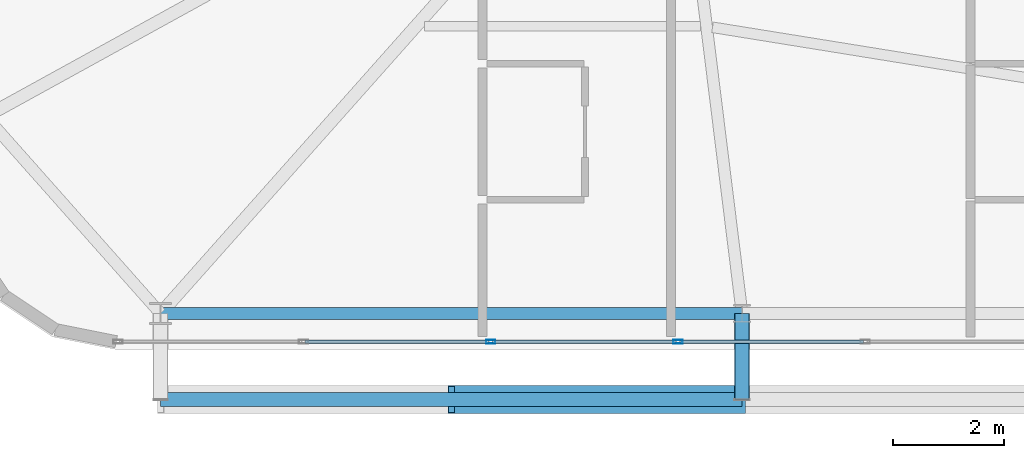
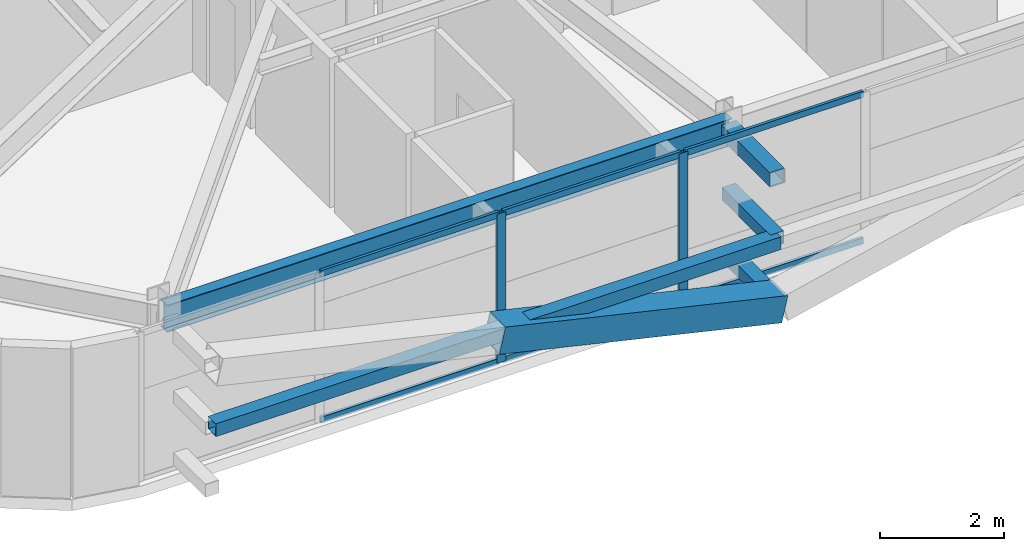
# One storey, part 6 of 58: 13 members, 1 beam, 1 element without a shape of its own.
"""IFC4 building model written with IfcOpenShell, lengths in metres."""

import ifcopenshell
import ifcopenshell.guid

model = None  # the IFC model being written
_history = None  # IfcOwnerHistory: only IFC2X3 demands one
_inside = {}  # id of a spatial element -> (the spatial element, [elements in it])
_under = {}  # id of a project, library or spatial element -> (it, [spatial elements below it])
_declared = {}  # id of a project -> (the project, [libraries it declares])
_typed = {}  # id of a type object -> (the type object, [elements of that type])
_made_of = {}  # id of a material, layer set ... -> (it, [elements and type objects made of it])


def new_model(schema):
    """Start an empty IFC model of exactly this schema.

    Asked for "IFC4X3", IfcOpenShell would pick the latest addendum, in which some entities
    have other attributes; the version numbers below select the first issue.
    IFC2X3 requires an IfcOwnerHistory on every rooted entity: one is made here for all.
    """
    global model, _history
    if schema == "IFC4X3":
        model = ifcopenshell.file(schema_version=(4, 3, 0, 0))
    else:
        model = ifcopenshell.file(schema=schema)
    _inside.clear()
    _under.clear()
    _declared.clear()
    _typed.clear()
    _made_of.clear()
    _history = None
    if model.schema == "IFC2X3":
        org = make("IfcOrganization", Name="unknown")
        user = make(
            "IfcPersonAndOrganization",
            ThePerson=make("IfcPerson", FamilyName="unknown"),
            TheOrganization=org,
        )
        app = make(
            "IfcApplication",
            ApplicationDeveloper=org,
            Version="unknown",
            ApplicationFullName="unknown",
            ApplicationIdentifier="unknown",
        )
        _history = make(
            "IfcOwnerHistory",
            OwningUser=user,
            OwningApplication=app,
            ChangeAction="ADDED",
            CreationDate=0,
        )
    return model


def make(cls, **values):
    """One entity of the class cls with the attributes given. An attribute that is None is left unset."""
    return model.create_entity(
        cls, **{name: value for name, value in values.items() if value is not None}
    )


def rooted(cls, **values):
    """An entity with a GlobalId (a new one), such as an element, a storey or a relation."""
    return make(cls, GlobalId=ifcopenshell.guid.new(), OwnerHistory=_history, **values)


def si_unit(unit_type, name, prefix=None):
    """IfcSIUnit, for example si_unit("LENGTHUNIT", "METRE", prefix="MILLI")."""
    return make("IfcSIUnit", UnitType=unit_type, Prefix=prefix, Name=name)


def assignment(units):
    """IfcUnitAssignment: the units of a project."""
    return None if units is None else make("IfcUnitAssignment", Units=units)


def point(xyz):
    """IfcCartesianPoint."""
    return None if xyz is None else make("IfcCartesianPoint", Coordinates=xyz)


def direction(xyz):
    """IfcDirection."""
    return None if xyz is None else make("IfcDirection", DirectionRatios=xyz)


def frame(location, z_axis=None, x_axis=None):
    """IfcAxis2Placement3D, a coordinate frame: its origin and axes. An axis left out is left unset."""
    return make(
        "IfcAxis2Placement3D",
        Location=point(location),
        Axis=direction(z_axis),
        RefDirection=direction(x_axis),
    )


def frame_2d(location, x_axis=None):
    """IfcAxis2Placement2D, a coordinate frame in the plane: its origin and x axis."""
    return make(
        "IfcAxis2Placement2D", Location=point(location), RefDirection=direction(x_axis)
    )


def origin():
    """The frame at (0, 0, 0) with its axes left unset."""
    return frame((0.0, 0.0, 0.0))


def origin_2d():
    """The frame at (0, 0) in the plane with its x axis left unset."""
    return frame_2d((0.0, 0.0))


def place(relative_to, where):
    """IfcLocalPlacement: puts the frame where relative to a parent placement (None: the world)."""
    return make(
        "IfcLocalPlacement", PlacementRelTo=relative_to, RelativePlacement=where
    )


def context(
    kind, dimensions, precision=None, world=None, true_north=None, identifier=None
):
    """IfcGeometricRepresentationContext, for example the 3D "Model" context."""
    return make(
        "IfcGeometricRepresentationContext",
        ContextIdentifier=identifier,
        ContextType=kind,
        CoordinateSpaceDimension=dimensions,
        Precision=precision,
        WorldCoordinateSystem=world,
        TrueNorth=true_north,
    )


def subcontext(parent, identifier, kind, view, scale=None):
    """IfcGeometricRepresentationSubContext, for example "Body" below "Model"."""
    return make(
        "IfcGeometricRepresentationSubContext",
        ContextIdentifier=identifier,
        ContextType=kind,
        ParentContext=parent,
        TargetScale=scale,
        TargetView=view,
    )


def project(units=None, contexts=None):
    """IfcProject with its units and contexts."""
    return rooted(
        "IfcProject",
        Name="project",
        RepresentationContexts=contexts,
        UnitsInContext=assignment(units),
    )


def spatial(cls, under=None, at=None, **own):
    """A site, building, storey or space (cls), placed at a placement, below another one or the project."""
    s = rooted(cls, ObjectPlacement=at, **own)
    if under is not None:
        _under.setdefault(under.id(), (under, []))[1].append(s)
    return s


def profile(cls, at=None, kind="AREA", **sizes):
    """A parametric profile (cls). Its sizes go by their IFC names, for example OverallWidth=200.0."""
    return make(cls, ProfileType=kind, Position=at, **sizes)


def hollow_rectangle(**sizes):
    """IfcRectangleHollowProfileDef."""
    return profile("IfcRectangleHollowProfileDef", **sizes)


def i_section(**sizes):
    """IfcIShapeProfileDef."""
    return profile("IfcIShapeProfileDef", **sizes)


def extrude(swept, where, along, depth):
    """IfcExtrudedAreaSolid: the profile swept, set in the frame where, extruded along a direction by depth."""
    return make(
        "IfcExtrudedAreaSolid",
        SweptArea=swept,
        Position=where,
        ExtrudedDirection=direction(along),
        Depth=depth,
    )


def shape(context_of_items, identifier, shape_type, items):
    """IfcShapeRepresentation: the items that make up one representation, for example the "Body"."""
    return make(
        "IfcShapeRepresentation",
        ContextOfItems=context_of_items,
        RepresentationIdentifier=identifier,
        RepresentationType=shape_type,
        Items=items,
    )


def source(mapping_origin, context_of_items, identifier, shape_type, items):
    """IfcRepresentationMap: a shape defined once, which mapped items show again and again."""
    return make(
        "IfcRepresentationMap",
        MappingOrigin=mapping_origin,
        MappedRepresentation=shape(context_of_items, identifier, shape_type, items),
    )


def transform(
    local_origin,
    x_axis=None,
    y_axis=None,
    z_axis=None,
    scale=None,
    scale2=None,
    scale3=None,
    uniform=True,
):
    """IfcCartesianTransformationOperator3D, or its non-uniform kind. x_axis, y_axis, z_axis: its Axis1, 2, 3."""
    if uniform:
        return make(
            "IfcCartesianTransformationOperator3D",
            Axis1=direction(x_axis),
            Axis2=direction(y_axis),
            LocalOrigin=point(local_origin),
            Scale=scale,
            Axis3=direction(z_axis),
        )
    return make(
        "IfcCartesianTransformationOperator3DnonUniform",
        Axis1=direction(x_axis),
        Axis2=direction(y_axis),
        LocalOrigin=point(local_origin),
        Scale=scale,
        Axis3=direction(z_axis),
        Scale2=scale2,
        Scale3=scale3,
    )


def mapped(mapping_source, mapping_target):
    """IfcMappedItem: shows the shape of a source again, moved by a transform."""
    return make(
        "IfcMappedItem", MappingSource=mapping_source, MappingTarget=mapping_target
    )


def material(Name=None, Category=None):
    """IfcMaterial."""
    return make("IfcMaterial", Name=Name, Category=Category)


def layer(
    of_material, thickness, ventilated=None, Name=None, Category=None, Priority=None
):
    """IfcMaterialLayer: one layer of a wall or slab, of a material (None: an air gap)."""
    return make(
        "IfcMaterialLayer",
        Material=of_material,
        LayerThickness=thickness,
        IsVentilated=ventilated,
        Name=Name,
        Category=Category,
        Priority=Priority,
    )


def layer_set(layers, Name=None):
    """IfcMaterialLayerSet."""
    return make("IfcMaterialLayerSet", MaterialLayers=layers, LayerSetName=Name)


def material_profile(
    of_material, cross_section, Name=None, Category=None, Priority=None
):
    """IfcMaterialProfile: a cross section and its material."""
    return make(
        "IfcMaterialProfile",
        Name=Name,
        Material=of_material,
        Profile=cross_section,
        Priority=Priority,
        Category=Category,
    )


def profile_set(profiles, Name=None, composite=None):
    """IfcMaterialProfileSet."""
    return make(
        "IfcMaterialProfileSet",
        Name=Name,
        MaterialProfiles=profiles,
        CompositeProfile=composite,
    )


def made_of(thing, what):
    """Note that an element or type object is made of a material, layer set ...; save() writes the relation."""
    if what is not None:
        _made_of.setdefault(what.id(), (what, []))[1].append(thing)
    return thing


def type_object(cls, material=None, **own):
    """A type object (cls), such as IfcWallType, which elements share."""
    return made_of(rooted(cls, **own), material)


def element(
    cls,
    number,
    at=None,
    inside=None,
    cuts=None,
    type_object=None,
    material=None,
    context=None,
    identifier="Body",
    shape_type=None,
    held_by="IfcProductDefinitionShape",
    body=None,
    shapes=None,
    **own,
):
    """One element of the class cls, such as IfcWall. Its Tag is "e" and its number.

    at: its placement. inside: the storey or other place that contains it. cuts: it is an
    opening in that element (IfcRelVoidsElement). A single representation is given by context,
    identifier, shape_type and body (its items); several are given by shapes. held_by: the class
    of the entity that holds the representations. save() writes the other relations.
    """
    e = rooted(cls, Tag="e%d" % number, ObjectPlacement=at, **own)
    if body is not None:
        shapes = [shape(context, identifier, shape_type, body)]
    if shapes is not None:
        e.Representation = make(held_by, Representations=shapes)
    if inside is not None:
        _inside.setdefault(inside.id(), (inside, []))[1].append(e)
    if cuts is not None:
        rooted(
            "IfcRelVoidsElement", RelatingBuildingElement=cuts, RelatedOpeningElement=e
        )
    if type_object is not None:
        _typed.setdefault(type_object.id(), (type_object, []))[1].append(e)
    return made_of(e, material)


def aggregate(whole, parts):
    """IfcRelAggregates: a whole, such as a stair, and the parts it consists of."""
    return rooted("IfcRelAggregates", RelatingObject=whole, RelatedObjects=parts)


def save(model, path):
    """Write the relations noted so far, then the file.

    IfcRelAggregates (storeys below a building ...), IfcRelContainedInSpatialStructure (elements
    in a storey), IfcRelDefinesByType, IfcRelAssociatesMaterial and IfcRelDeclares: one each for
    every whole, place, type object, material and project.
    """
    for whole, parts in _under.values():
        aggregate(whole, parts)
    for where, things in _inside.values():
        rooted(
            "IfcRelContainedInSpatialStructure",
            RelatedElements=things,
            RelatingStructure=where,
        )
    for kind, things in _typed.values():
        rooted("IfcRelDefinesByType", RelatedObjects=things, RelatingType=kind)
    for what, things in _made_of.values():
        rooted("IfcRelAssociatesMaterial", RelatedObjects=things, RelatingMaterial=what)
    for by, libraries in _declared.values():
        rooted("IfcRelDeclares", RelatingContext=by, RelatedDefinitions=libraries)
    model.write(path)


model = new_model("IFC4")

# Units and contexts
model_context = context("Model", 3, precision=1e-05, world=origin(), true_north=direction((0.0, 1.0)))
body_context = subcontext(model_context, "Body", "Model", "MODEL_VIEW")
ifc_project = project(units=[si_unit("LENGTHUNIT", "METRE"), si_unit("AREAUNIT", "SQUARE_METRE"), si_unit("VOLUMEUNIT", "CUBIC_METRE"), si_unit("PLANEANGLEUNIT", "RADIAN"), si_unit("MASSUNIT", "GRAM", prefix="KILO")], contexts=[model_context])

# Site, building, storey
site_placement = place(None, origin())
site = spatial("IfcSite", under=ifc_project, at=site_placement, CompositionType="ELEMENT")
building_placement = place(site_placement, origin())
building = spatial("IfcBuilding", under=site, at=building_placement, Name="Taldren Reach Tower", CompositionType="ELEMENT")
storey_placement = place(building_placement, frame((0.0, 0.0, 32.550048828125)))
storey = spatial("IfcBuildingStorey", under=building, at=storey_placement, Name="L09", CompositionType="ELEMENT", Elevation=32.550048828125)

# Beam
ifc_material_1 = material(Name="Steel Gr 350 (350PLUS)", Category="steel")
ifc_material_profile_1 = material_profile(ifc_material_1, i_section(OverallWidth=0.208984375, OverallDepth=0.528076171875, WebThickness=0.009521484375, FlangeThickness=0.01318359375, at=origin_2d()), Name="530UB82.0")
ifc_profile_set_1 = profile_set([ifc_material_profile_1], Name="Steel Gr 350 (350PLUS)")
beam_type = type_object("IfcBeamType", Name="SP-UB530B", PredefinedType="SPANDREL", material=ifc_profile_set_1)
shared_shape_1 = source(origin(), body_context, "Body", "SweptSolid", [
    extrude(i_section(OverallWidth=0.208984375, OverallDepth=0.528076171875, WebThickness=0.009521484375, FlangeThickness=0.01318359375, at=origin_2d()), origin(), (0.0, 0.0, 1.0), 10.47998046875),
])
beam_placement = place(storey_placement, frame((8.800048828125, 2.14990234375, 2.666015625), z_axis=(1.0, 0.0, 0.0), x_axis=(0.0, 1.0, 0.0)))
element("IfcBeam", 1, at=beam_placement, inside=storey, type_object=beam_type, Name="Perimeter spandrel B1 S1-S2 L09", PredefinedType="SPANDREL", context=body_context, shape_type="MappedRepresentation", body=[
    mapped(shared_shape_1, transform((0.0, 0.0, 0.0), scale=1.0)),
])

# Members
ifc_material_2 = material(Name="Steel Gr 450 (C450L0)", Category="steel")
ifc_material_profile_2 = material_profile(ifc_material_2, hollow_rectangle(XDim=0.27490234375, YDim=0.27490234375, WallThickness=0.00927734375, at=origin_2d()), Name="275x275x9.3SHS")
ifc_profile_set_2 = profile_set([ifc_material_profile_2], Name="Steel Gr 450 (C450L0)")
member_type_1 = type_object("IfcMemberType", Name="MB-TIE273", PredefinedType="STRUT", material=ifc_profile_set_2)
shared_shape_2 = source(origin(), body_context, "Body", "SweptSolid", [
    extrude(hollow_rectangle(XDim=0.27490234375, YDim=0.27490234375, WallThickness=0.00927734375, at=origin_2d()), origin(), (0.0, 0.0, 1.0), 1.5498046875),
])
member_1_placement = place(storey_placement, frame((19.280029296875, 2.14990234375, 2.64990234375), z_axis=(0.0, -1.0, 0.0), x_axis=(1.0, 0.0, 0.0)))
element("IfcMember", 2, at=member_1_placement, inside=storey, type_object=member_type_1, Name="Exoskeleton diaphragm tie strut B1-S2 L09", PredefinedType="STRUT", context=body_context, shape_type="MappedRepresentation", body=[
    mapped(shared_shape_2, transform((0.0, 0.0, 0.0), scale=1.0)),
])
ifc_material_profile_3 = material_profile(ifc_material_2, hollow_rectangle(XDim=0.510009765625, YDim=0.510009765625, WallThickness=0.02001953125, at=origin_2d()), Name="510x510x20.0SHS")
ifc_profile_set_3 = profile_set([ifc_material_profile_3], Name="Steel Gr 450 (C450L0)")
member_type_2 = type_object("IfcMemberType", Name="MB-EXO508", PredefinedType="BRACE", material=ifc_profile_set_3)
shared_shape_3 = source(origin(), body_context, "Body", "SweptSolid", [
    extrude(hollow_rectangle(XDim=0.510009765625, YDim=0.510009765625, WallThickness=0.02001953125, at=origin_2d()), origin(), (0.0, 0.0, 1.0), 5.37890625),
])
member_2_placement = place(storey_placement, frame((19.280029296875, 0.60009765625, 0.219970703125), z_axis=(-0.97415197996, 0.0, 0.225893603143), x_axis=(0.0, -1.0, 0.0)))
element("IfcMember", 3, at=member_2_placement, inside=storey, type_object=member_type_2, Name="Exoskeleton Diagrid Brace B1-S1 L09", PredefinedType="BRACE", context=body_context, shape_type="MappedRepresentation", body=[
    mapped(shared_shape_3, transform((0.0, 0.0, 0.0), scale=1.0)),
])
ifc_material_3 = material(Name="Steel Gr 350 (C350L0)", Category="steel")
ifc_material_profile_4 = material_profile(ifc_material_3, hollow_rectangle(XDim=0.25, YDim=0.25, WallThickness=0.010009765625, at=origin_2d()), Name="250x250x10.0SHS")
ifc_profile_set_4 = profile_set([ifc_material_profile_4], Name="Steel Gr 350 (C350L0)")
member_type_3 = type_object("IfcMemberType", Name="MB-POST250", PredefinedType="POST", material=ifc_profile_set_4)
shared_shape_4 = source(origin(), body_context, "Body", "SweptSolid", [
    extrude(hollow_rectangle(XDim=0.25, YDim=0.25, WallThickness=0.010009765625, at=origin_2d()), origin(), (0.0, 0.0, 1.0), 10.47998046875),
])
member_3_placement = place(storey_placement, frame((8.800048828125, 0.60009765625, 1.43505859375), z_axis=(1.0, 0.0, 0.0), x_axis=(0.0, 1.0, 0.0)))
element("IfcMember", 4, at=member_3_placement, inside=storey, type_object=member_type_3, Name="Exoskeleton mid-height ring chord B1-S1 L09", PredefinedType="POST", context=body_context, shape_type="MappedRepresentation", body=[
    mapped(shared_shape_4, transform((0.0, 0.0, 0.0), scale=1.0)),
])
shared_shape_5 = source(origin(), body_context, "Body", "SweptSolid", [
    extrude(hollow_rectangle(XDim=0.25, YDim=0.25, WallThickness=0.010009765625, at=origin_2d()), origin(), (0.0, 0.0, 1.0), 1.5498046875),
])
for number, where, z_axis, x_axis, name in (
    (5, (19.280029296875, 2.14990234375, 0.219970703125), (0.0, -1.0, 0.0), (1.0, 0.0, 0.0), "Exoskeleton base diaphragm tie strut B1-S2 L09"),
    (6, (19.280029296875, 2.14990234375, 1.43505859375), (0.0, -1.0, 0.0), (1.0, 0.0, 0.0), "Exoskeleton mid-tier diaphragm tie B1-S2 L09"),
):
    element("IfcMember", number, at=place(storey_placement, frame(where, z_axis=z_axis, x_axis=x_axis)), inside=storey, type_object=member_type_3, Name=name, PredefinedType="POST", context=body_context, shape_type="MappedRepresentation", body=[
        mapped(shared_shape_5, transform((0.0, 0.0, 0.0), scale=1.0)),
    ])

# Curtain wall, members
ifc_material_4 = material(Name="Aluminium and Low-E Glass Unitised System", Category="aluminium")
ifc_layer = layer(ifc_material_4, 0.159912109375)
ifc_layer_set = layer_set([ifc_layer], Name="Aluminium and Low-E Glass Unitised System")
curtain_wall_type = type_object("IfcCurtainWallType", Name="CW-SYS-2", PredefinedType="NOTDEFINED", material=ifc_layer_set)
curtain_wall_placement = place(storey_placement, origin())
curtain_wall = element("IfcCurtainWall", 7, at=curtain_wall_placement, inside=storey, type_object=curtain_wall_type, Name="Unitised curtain wall CW-L09-S", PredefinedType="NOTDEFINED")
ifc_material_5 = material(Name="Anodised Aluminium 6063-T6", Category="aluminium")
ifc_material_profile_5 = material_profile(ifc_material_5, hollow_rectangle(XDim=0.06494140625, YDim=0.1650390625, WallThickness=0.00390625, at=origin_2d()), Name="ALU-165x65x4RHS")
ifc_profile_set_5 = profile_set([ifc_material_profile_5], Name="Anodised Aluminium 6063-T6")
member_type_4 = type_object("IfcMemberType", Name="CW-MUL-165", PredefinedType="MULLION", material=ifc_profile_set_5)
shared_shape_6 = source(origin(), body_context, "Body", "SweptSolid", [
    extrude(hollow_rectangle(XDim=0.06494140625, YDim=0.1650390625, WallThickness=0.00390625, at=origin_2d()), origin(), (0.0, 0.0, 1.0), 2.929931640625),
])
member_4_placement = place(storey_placement, frame((14.75, 1.639892578125, 0.0), z_axis=(0.0, 0.0, 1.0), x_axis=(0.0, 1.0, 0.0)))
member_4 = element("IfcMember", 8, at=member_4_placement, type_object=member_type_4, Name="CW-2 mullion 3", PredefinedType="MULLION", context=body_context, shape_type="MappedRepresentation", body=[
    mapped(shared_shape_6, transform((0.0, 0.0, 0.0), scale=1.0)),
])
member_5_placement = place(storey_placement, frame((18.125, 1.639892578125, 0.0), z_axis=(0.0, 0.0, 1.0), x_axis=(0.0, 1.0, 0.0)))
member_5 = element("IfcMember", 9, at=member_5_placement, type_object=member_type_4, Name="CW-2 mullion 4", PredefinedType="MULLION", context=body_context, shape_type="MappedRepresentation", body=[
    mapped(shared_shape_6, transform((0.0, 0.0, 0.0), scale=1.0)),
])
ifc_material_profile_6 = material_profile(ifc_material_5, hollow_rectangle(XDim=0.054931640625, YDim=0.1201171875, WallThickness=0.0029296875, at=origin_2d()), Name="ALU-120x55x3RHS")
ifc_profile_set_6 = profile_set([ifc_material_profile_6], Name="Anodised Aluminium 6063-T6")
member_type_5 = type_object("IfcMemberType", Name="CW-TRN-135", PredefinedType="USERDEFINED", material=ifc_profile_set_6)
shared_shape_7 = source(origin(), body_context, "Body", "SweptSolid", [
    extrude(hollow_rectangle(XDim=0.054931640625, YDim=0.1201171875, WallThickness=0.0029296875, at=origin_2d()), origin(), (0.0, 0.0, 1.0), 3.31005859375),
])
member_6_placement = place(storey_placement, frame((11.407470703125, 1.639892578125, 0.02734375), z_axis=(1.0, 0.0, 0.0), x_axis=(0.0, 1.0, 0.0)))
member_6 = element("IfcMember", 10, at=member_6_placement, type_object=member_type_5, Name="CW-2 transom 2.1", ObjectType="TRANSOM", PredefinedType="USERDEFINED", context=body_context, shape_type="MappedRepresentation", body=[
    mapped(shared_shape_7, transform((0.0, 0.0, 0.0), scale=1.0)),
])
member_7_placement = place(storey_placement, frame((11.407470703125, 1.639892578125, 2.90234375), z_axis=(1.0, 0.0, 0.0), x_axis=(0.0, 1.0, 0.0)))
member_7 = element("IfcMember", 11, at=member_7_placement, type_object=member_type_5, Name="CW-2 transom 2.2", ObjectType="TRANSOM", PredefinedType="USERDEFINED", context=body_context, shape_type="MappedRepresentation", body=[
    mapped(shared_shape_7, transform((0.0, 0.0, 0.0), scale=1.0)),
])
member_8_placement = place(storey_placement, frame((14.782470703125, 1.639892578125, 0.02734375), z_axis=(1.0, 0.0, 0.0), x_axis=(0.0, 1.0, 0.0)))
member_8 = element("IfcMember", 12, at=member_8_placement, type_object=member_type_5, Name="CW-2 transom 3.1", ObjectType="TRANSOM", PredefinedType="USERDEFINED", context=body_context, shape_type="MappedRepresentation", body=[
    mapped(shared_shape_7, transform((0.0, 0.0, 0.0), scale=1.0)),
])
member_9_placement = place(storey_placement, frame((14.782470703125, 1.639892578125, 2.90234375), z_axis=(1.0, 0.0, 0.0), x_axis=(0.0, 1.0, 0.0)))
member_9 = element("IfcMember", 13, at=member_9_placement, type_object=member_type_5, Name="CW-2 transom 3.2", ObjectType="TRANSOM", PredefinedType="USERDEFINED", context=body_context, shape_type="MappedRepresentation", body=[
    mapped(shared_shape_7, transform((0.0, 0.0, 0.0), scale=1.0)),
])
member_10_placement = place(storey_placement, frame((18.157470703125, 1.639892578125, 0.02734375), z_axis=(1.0, 0.0, 0.0), x_axis=(0.0, 1.0, 0.0)))
member_10 = element("IfcMember", 14, at=member_10_placement, type_object=member_type_5, Name="CW-2 transom 4.1", ObjectType="TRANSOM", PredefinedType="USERDEFINED", context=body_context, shape_type="MappedRepresentation", body=[
    mapped(shared_shape_7, transform((0.0, 0.0, 0.0), scale=1.0)),
])
member_11_placement = place(storey_placement, frame((18.157470703125, 1.639892578125, 2.90234375), z_axis=(1.0, 0.0, 0.0), x_axis=(0.0, 1.0, 0.0)))
member_11 = element("IfcMember", 15, at=member_11_placement, type_object=member_type_5, Name="CW-2 transom 4.2", ObjectType="TRANSOM", PredefinedType="USERDEFINED", context=body_context, shape_type="MappedRepresentation", body=[
    mapped(shared_shape_7, transform((0.0, 0.0, 0.0), scale=1.0)),
])
aggregate(curtain_wall, [member_4, member_5, member_6, member_7, member_8, member_9, member_10, member_11])

save(model, "model.ifc")
